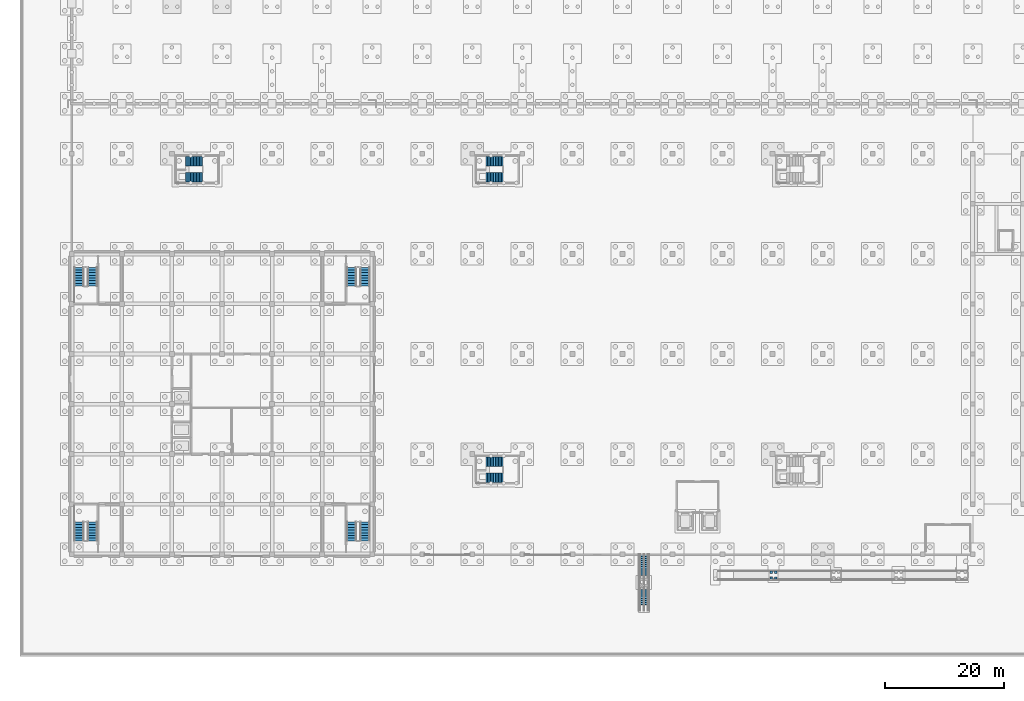
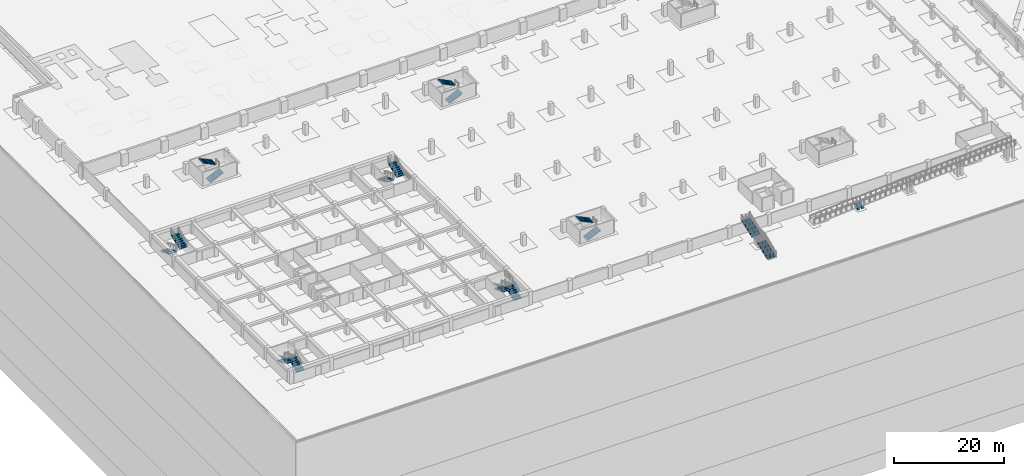
# One storey, part 49 of 67: 16 stair flights, 4 walls, 8 elements without a shape of their own.
"""IFC4 building model written with IfcOpenShell, lengths in metres."""

from ifc_helpers import new_model, si_unit, direction, frame, frame_2d, origin, place, context, subcontext, project, spatial, polyline, rectangle, outline, extrude, material, layer, layer_set, type_object, element, aggregate, save


model = new_model("IFC4")

# Units and contexts
model_context = context("Model", 3, precision=1e-05, world=origin(), true_north=direction((0.0, 1.0)))
body_context = subcontext(model_context, "Body", "Model", "MODEL_VIEW")
ifc_project = project(units=[si_unit("LENGTHUNIT", "METRE"), si_unit("AREAUNIT", "SQUARE_METRE"), si_unit("VOLUMEUNIT", "CUBIC_METRE"), si_unit("PLANEANGLEUNIT", "RADIAN"), si_unit("MASSUNIT", "GRAM", prefix="KILO")], contexts=[model_context])

# Site, building, storey
site_placement = place(None, origin())
site = spatial("IfcSite", under=ifc_project, at=site_placement, CompositionType="ELEMENT")
building_placement = place(site_placement, origin())
building = spatial("IfcBuilding", under=site, at=building_placement, Name="Rain Tree Exposition and Congress Centre", CompositionType="ELEMENT")
storey_placement = place(building_placement, frame((0.0, 0.0, -3.0)))
storey = spatial("IfcBuildingStorey", under=building, at=storey_placement, Name="B1", CompositionType="ELEMENT", Elevation=-3.0)

# Walls
ifc_material_1 = material(Name="Concrete C40/50", Category="concrete")
ifc_layer = layer(ifc_material_1, 0.39990234375)
ifc_layer_set = layer_set([ifc_layer], Name="Concrete C40/50")
wall_type = type_object("IfcWallType", Name="Ramp support pier 400", PredefinedType="SOLIDWALL", material=ifc_layer_set)
for number, where, z_axis, x_axis, name in (
    (1, (117.35009765625, -4.199951171875, 0.0), (0.0, 0.0, 1.0), (0.0, 1.0, 0.0), "Ramp pier 2.1"),
    (2, (117.35009765625, -3.199951171875, 0.0), (0.0, 0.0, 1.0), (0.0, 1.0, 0.0), "Ramp pier 2.2"),
    (3, (118.14990234375, -4.199951171875, 0.0), (0.0, 0.0, 1.0), (0.0, 1.0, 0.0), "Ramp pier 2.3"),
    (4, (118.14990234375, -3.199951171875, 0.0), (0.0, 0.0, 1.0), (0.0, 1.0, 0.0), "Ramp pier 2.4"),
):
    element("IfcWall", number, at=place(storey_placement, frame(where, z_axis=z_axis, x_axis=x_axis)), inside=storey, type_object=wall_type, Name=name, PredefinedType="SOLIDWALL", context=body_context, shape_type="SweptSolid", body=[
        extrude(rectangle(XDim=0.39990234375, YDim=0.39990234375, at=frame_2d((0.199951171875, 0.0))), origin(), (0.0, 0.0, 1.0), 0.695068359375),
    ])

# Stair, stair flights
ifc_material_2 = material(Name="Precast concrete C50/60", Category="concrete")
stair_type_1 = type_object("IfcStairType", Name="Exit stair 1600 wide", PredefinedType="HALF_TURN_STAIR", material=ifc_material_2)
stair_1_placement = place(storey_placement, origin())
stair_1 = element("IfcStair", 5, at=stair_1_placement, inside=storey, type_object=stair_type_1, Name="Exit stair E1", PredefinedType="HALF_TURN_STAIR")
ifc_material_3 = material(Name="Precast concrete C50/60", Category="concrete")
stair_flight_type_1 = type_object("IfcStairFlightType", Name="Exit stair flight 1600 wide", PredefinedType="STRAIGHT", material=ifc_material_3)
stair_flight_1_placement = place(storey_placement, frame((69.5, 12.85009765625, 0.0), z_axis=(0.0, 0.0, 1.0), x_axis=(1.0, 0.0, 0.0)))
stair_flight_1 = element("IfcStairFlight", 6, at=stair_flight_1_placement, type_object=stair_flight_type_1, Name="XS-E1 flight 1", NumberOfRisers=12, NumberOfTreads=11, PredefinedType="STRAIGHT", RiserHeight=0.125, TreadLength=0.26, context=body_context, shape_type="SweptSolid", body=[
    extrude(outline(polyline([(0.0, 0.0), (0.0, 0.125), (0.260009765625, 0.125), (0.260009765625, 0.25), (0.52001953125, 0.25), (0.52001953125, 0.375), (0.780029296875, 0.375), (0.780029296875, 0.5), (1.0400390625, 0.5), (1.0400390625, 0.625), (1.300048828125, 0.625), (1.300048828125, 0.75), (1.56005859375, 0.75), (1.56005859375, 0.875), (1.820068359375, 0.875), (1.820068359375, 1.0), (2.080078125, 1.0), (2.080078125, 1.125), (2.340087890625, 1.125), (2.340087890625, 1.25), (2.60009765625, 1.25), (2.60009765625, 1.375), (2.860107421875, 1.375), (2.860107421875, 1.5), (2.860107421875, 1.208740234375), (0.345947265625, 0.0), (0.0, 0.0)])), frame((0.0, 0.800048828125, 0.0), z_axis=(0.0, -1.0, 0.0), x_axis=(1.0, 0.0, 0.0)), (0.0, 0.0, 1.0), 1.60009765625),
])
stair_flight_2_placement = place(storey_placement, frame((72.360107421875, 15.550048828125, 1.5), z_axis=(0.0, 0.0, 1.0), x_axis=(-1.0, 0.0, 0.0)))
stair_flight_2 = element("IfcStairFlight", 7, at=stair_flight_2_placement, type_object=stair_flight_type_1, Name="XS-E1 flight 2", NumberOfRisers=12, NumberOfTreads=11, PredefinedType="STRAIGHT", RiserHeight=0.125, TreadLength=0.26, context=body_context, shape_type="SweptSolid", body=[
    extrude(outline(polyline([(0.0, 0.0), (0.0, 0.125), (0.260009765625, 0.125), (0.260009765625, 0.25), (0.52001953125, 0.25), (0.52001953125, 0.375), (0.780029296875, 0.375), (0.780029296875, 0.5), (1.0400390625, 0.5), (1.0400390625, 0.625), (1.300048828125, 0.625), (1.300048828125, 0.75), (1.56005859375, 0.75), (1.56005859375, 0.875), (1.820068359375, 0.875), (1.820068359375, 1.0), (2.080078125, 1.0), (2.080078125, 1.125), (2.340087890625, 1.125), (2.340087890625, 1.25), (2.60009765625, 1.25), (2.60009765625, 1.375), (2.860107421875, 1.375), (2.860107421875, 1.5), (2.860107421875, 1.208740234375), (0.345947265625, 0.0), (0.0, 0.0)])), frame((0.0, 0.800048828125, 0.0), z_axis=(0.0, -1.0, 0.0), x_axis=(1.0, 0.0, 0.0)), (0.0, 0.0, 1.0), 1.60009765625),
])
aggregate(stair_1, [stair_flight_1, stair_flight_2])

stair_2_placement = place(storey_placement, origin())
stair_2 = element("IfcStair", 8, at=stair_2_placement, inside=storey, type_object=stair_type_1, Name="Exit stair E3", PredefinedType="HALF_TURN_STAIR")
stair_flight_3_placement = place(storey_placement, frame((69.5, 63.25, 0.0), z_axis=(0.0, 0.0, 1.0), x_axis=(1.0, 0.0, 0.0)))
stair_flight_3 = element("IfcStairFlight", 9, at=stair_flight_3_placement, type_object=stair_flight_type_1, Name="XS-E3 flight 1", NumberOfRisers=12, NumberOfTreads=11, PredefinedType="STRAIGHT", RiserHeight=0.125, TreadLength=0.26, context=body_context, shape_type="SweptSolid", body=[
    extrude(outline(polyline([(0.0, 0.0), (0.0, 0.125), (0.260009765625, 0.125), (0.260009765625, 0.25), (0.52001953125, 0.25), (0.52001953125, 0.375), (0.780029296875, 0.375), (0.780029296875, 0.5), (1.0400390625, 0.5), (1.0400390625, 0.625), (1.300048828125, 0.625), (1.300048828125, 0.75), (1.56005859375, 0.75), (1.56005859375, 0.875), (1.820068359375, 0.875), (1.820068359375, 1.0), (2.080078125, 1.0), (2.080078125, 1.125), (2.340087890625, 1.125), (2.340087890625, 1.25), (2.60009765625, 1.25), (2.60009765625, 1.375), (2.860107421875, 1.375), (2.860107421875, 1.5), (2.860107421875, 1.208740234375), (0.345947265625, 0.0), (0.0, 0.0)])), frame((0.0, 0.800048828125, 0.0), z_axis=(0.0, -1.0, 0.0), x_axis=(1.0, 0.0, 0.0)), (0.0, 0.0, 1.0), 1.60009765625),
])
stair_flight_4_placement = place(storey_placement, frame((72.360107421875, 65.949951171875, 1.5), z_axis=(0.0, 0.0, 1.0), x_axis=(-1.0, 0.0, 0.0)))
stair_flight_4 = element("IfcStairFlight", 10, at=stair_flight_4_placement, type_object=stair_flight_type_1, Name="XS-E3 flight 2", NumberOfRisers=12, NumberOfTreads=11, PredefinedType="STRAIGHT", RiserHeight=0.125, TreadLength=0.26, context=body_context, shape_type="SweptSolid", body=[
    extrude(outline(polyline([(0.0, 0.0), (0.0, 0.125), (0.260009765625, 0.125), (0.260009765625, 0.25), (0.52001953125, 0.25), (0.52001953125, 0.375), (0.780029296875, 0.375), (0.780029296875, 0.5), (1.0400390625, 0.5), (1.0400390625, 0.625), (1.300048828125, 0.625), (1.300048828125, 0.75), (1.56005859375, 0.75), (1.56005859375, 0.875), (1.820068359375, 0.875), (1.820068359375, 1.0), (2.080078125, 1.0), (2.080078125, 1.125), (2.340087890625, 1.125), (2.340087890625, 1.25), (2.60009765625, 1.25), (2.60009765625, 1.375), (2.860107421875, 1.375), (2.860107421875, 1.5), (2.860107421875, 1.208740234375), (0.345947265625, 0.0), (0.0, 0.0)])), frame((0.0, 0.800048828125, 0.0), z_axis=(0.0, -1.0, 0.0), x_axis=(1.0, 0.0, 0.0)), (0.0, 0.0, 1.0), 1.60009765625),
])
aggregate(stair_2, [stair_flight_3, stair_flight_4])

stair_3_placement = place(storey_placement, origin())
stair_3 = element("IfcStair", 11, at=stair_3_placement, inside=storey, type_object=stair_type_1, Name="Exit stair E5", PredefinedType="HALF_TURN_STAIR")
stair_flight_5_placement = place(storey_placement, frame((19.10009765625, 63.25, 0.0), z_axis=(0.0, 0.0, 1.0), x_axis=(1.0, 0.0, 0.0)))
stair_flight_5 = element("IfcStairFlight", 12, at=stair_flight_5_placement, type_object=stair_flight_type_1, Name="XS-E5 flight 1", NumberOfRisers=12, NumberOfTreads=11, PredefinedType="STRAIGHT", RiserHeight=0.125, TreadLength=0.26, context=body_context, shape_type="SweptSolid", body=[
    extrude(outline(polyline([(0.0, 0.0), (0.0, 0.125), (0.260009765625, 0.125), (0.260009765625, 0.25), (0.52001953125, 0.25), (0.52001953125, 0.375), (0.780029296875, 0.375), (0.780029296875, 0.5), (1.0400390625, 0.5), (1.0400390625, 0.625), (1.300048828125, 0.625), (1.300048828125, 0.75), (1.56005859375, 0.75), (1.56005859375, 0.875), (1.820068359375, 0.875), (1.820068359375, 1.0), (2.080078125, 1.0), (2.080078125, 1.125), (2.340087890625, 1.125), (2.340087890625, 1.25), (2.60009765625, 1.25), (2.60009765625, 1.375), (2.860107421875, 1.375), (2.860107421875, 1.5), (2.860107421875, 1.208740234375), (0.345947265625, 0.0), (0.0, 0.0)])), frame((0.0, 0.800048828125, 0.0), z_axis=(0.0, -1.0, 0.0), x_axis=(1.0, 0.0, 0.0)), (0.0, 0.0, 1.0), 1.60009765625),
])
stair_flight_6_placement = place(storey_placement, frame((21.9599609375, 65.949951171875, 1.5), z_axis=(0.0, 0.0, 1.0), x_axis=(-1.0, 0.0, 0.0)))
stair_flight_6 = element("IfcStairFlight", 13, at=stair_flight_6_placement, type_object=stair_flight_type_1, Name="XS-E5 flight 2", NumberOfRisers=12, NumberOfTreads=11, PredefinedType="STRAIGHT", RiserHeight=0.125, TreadLength=0.26, context=body_context, shape_type="SweptSolid", body=[
    extrude(outline(polyline([(0.0, 0.0), (0.0, 0.125), (0.260009765625, 0.125), (0.260009765625, 0.25), (0.52001953125, 0.25), (0.52001953125, 0.375), (0.780029296875, 0.375), (0.780029296875, 0.5), (1.0400390625, 0.5), (1.0400390625, 0.625), (1.300048828125, 0.625), (1.300048828125, 0.75), (1.56005859375, 0.75), (1.56005859375, 0.875), (1.820068359375, 0.875), (1.820068359375, 1.0), (2.080078125, 1.0), (2.080078125, 1.125), (2.340087890625, 1.125), (2.340087890625, 1.25), (2.60009765625, 1.25), (2.60009765625, 1.375), (2.860107421875, 1.375), (2.860107421875, 1.5), (2.860107421875, 1.208740234375), (0.345947265625, 0.0), (0.0, 0.0)])), frame((0.0, 0.800048828125, 0.0), z_axis=(0.0, -1.0, 0.0), x_axis=(1.0, 0.0, 0.0)), (0.0, 0.0, 1.0), 1.60009765625),
])
aggregate(stair_3, [stair_flight_5, stair_flight_6])

ifc_material_4 = material(Name="Precast concrete C50/60", Category="concrete")
stair_type_2 = type_object("IfcStairType", Name="Public stair 1800 wide", PredefinedType="STRAIGHT_RUN_STAIR", material=ifc_material_4)
stair_4_placement = place(storey_placement, origin())
stair_4 = element("IfcStair", 14, at=stair_4_placement, inside=storey, type_object=stair_type_2, Name="Grand public stair ST-S1", PredefinedType="STRAIGHT_RUN_STAIR")
ifc_material_5 = material(Name="Precast concrete C50/60", Category="concrete")
stair_flight_type_2 = type_object("IfcStairFlightType", Name="Precast stair flight 1800 wide", PredefinedType="STRAIGHT", material=ifc_material_5)
stair_flight_7_placement = place(storey_placement, frame((96.0, -9.5, 0.0), z_axis=(0.0, 0.0, 1.0), x_axis=(0.0, 1.0, 0.0)))
stair_flight_7 = element("IfcStairFlight", 15, at=stair_flight_7_placement, type_object=stair_flight_type_2, Name="ST-S1 flight 1", NumberOfRisers=12, NumberOfTreads=11, PredefinedType="STRAIGHT", RiserHeight=0.125, TreadLength=0.35, context=body_context, shape_type="SweptSolid", body=[
    extrude(outline(polyline([(0.0, 0.0), (0.0, 0.125), (0.35009765625, 0.125), (0.35009765625, 0.25), (0.699951171875, 0.25), (0.699951171875, 0.375), (1.050048828125, 0.375), (1.050048828125, 0.5), (1.39990234375, 0.5), (1.39990234375, 0.625), (1.75, 0.625), (1.75, 0.75), (2.10009765625, 0.75), (2.10009765625, 0.875), (2.449951171875, 0.875), (2.449951171875, 1.0), (2.800048828125, 1.0), (2.800048828125, 1.125), (3.14990234375, 1.125), (3.14990234375, 1.25), (3.5, 1.25), (3.5, 1.375), (3.85009765625, 1.375), (3.85009765625, 1.5), (3.85009765625, 1.2158203125), (0.44580078125, 0.0), (0.0, 0.0)])), frame((0.0, 0.89990234375, 0.0), z_axis=(0.0, -1.0, 0.0), x_axis=(1.0, 0.0, 0.0)), (0.0, 0.0, 1.0), 1.800048828125),
])
stair_flight_8_placement = place(storey_placement, frame((96.0, -3.85009765625, 1.5), z_axis=(0.0, 0.0, 1.0), x_axis=(0.0, 1.0, 0.0)))
stair_flight_8 = element("IfcStairFlight", 16, at=stair_flight_8_placement, type_object=stair_flight_type_2, Name="ST-S1 flight 2", NumberOfRisers=12, NumberOfTreads=11, PredefinedType="STRAIGHT", RiserHeight=0.125, TreadLength=0.35, context=body_context, shape_type="SweptSolid", body=[
    extrude(outline(polyline([(0.0, 0.0), (0.0, 0.125), (0.35009765625, 0.125), (0.35009765625, 0.25), (0.699951171875, 0.25), (0.699951171875, 0.375), (1.050048828125, 0.375), (1.050048828125, 0.5), (1.39990234375, 0.5), (1.39990234375, 0.625), (1.75, 0.625), (1.75, 0.75), (2.10009765625, 0.75), (2.10009765625, 0.875), (2.449951171875, 0.875), (2.449951171875, 1.0), (2.800048828125, 1.0), (2.800048828125, 1.125), (3.14990234375, 1.125), (3.14990234375, 1.25), (3.5, 1.25), (3.5, 1.375), (3.85009765625, 1.375), (3.85009765625, 1.5), (3.85009765625, 1.2158203125), (0.44580078125, 0.0), (0.0, 0.0)])), frame((0.0, 0.89990234375, 0.0), z_axis=(0.0, -1.0, 0.0), x_axis=(1.0, 0.0, 0.0)), (0.0, 0.0, 1.0), 1.800048828125),
])
aggregate(stair_4, [stair_flight_7, stair_flight_8])

ifc_material_6 = material(Name="Precast concrete C50/60", Category="concrete")
stair_type_3 = type_object("IfcStairType", Name="Wing dog-leg stair 1600", PredefinedType="HALF_TURN_STAIR", material=ifc_material_6)
stair_5_placement = place(storey_placement, origin())
stair_5 = element("IfcStair", 17, at=stair_5_placement, inside=storey, type_object=stair_type_3, Name="B1 ST-W1", PredefinedType="HALF_TURN_STAIR")
ifc_material_7 = material(Name="Precast concrete C50/60", Category="concrete")
stair_flight_type_3 = type_object("IfcStairFlightType", Name="Wing stair flight 1600", PredefinedType="STRAIGHT", material=ifc_material_7)
stair_flight_9_placement = place(storey_placement, frame((3.449951171875, 2.25, 0.0), z_axis=(0.0, 0.0, 1.0), x_axis=(0.0, 1.0, 0.0)))
stair_flight_9 = element("IfcStairFlight", 18, at=stair_flight_9_placement, type_object=stair_flight_type_3, Name="ST-W1 flight 1", NumberOfRisers=8, NumberOfTreads=7, PredefinedType="STRAIGHT", RiserHeight=0.1875, TreadLength=0.45, context=body_context, shape_type="SweptSolid", body=[
    extrude(outline(polyline([(0.0, 0.0), (0.0, 0.1875), (0.449951171875, 0.1875), (0.449951171875, 0.375), (0.89990234375, 0.375), (0.89990234375, 0.5625), (1.35009765625, 0.5625), (1.35009765625, 0.75), (1.800048828125, 0.75), (1.800048828125, 0.9375), (2.25, 0.9375), (2.25, 1.125), (2.699951171875, 1.125), (2.699951171875, 1.3125), (3.14990234375, 1.3125), (3.14990234375, 1.5), (3.14990234375, 1.150146484375), (0.3896484375, 0.0), (0.0, 0.0)])), frame((0.0, 0.800048828125, 0.0), z_axis=(0.0, -1.0, 0.0), x_axis=(1.0, 0.0, 0.0)), (0.0, 0.0, 1.0), 1.60009765625),
])
stair_flight_10_placement = place(storey_placement, frame((1.199951171875, 5.39990234375, 1.5), z_axis=(0.0, 0.0, 1.0), x_axis=(0.0, -1.0, 0.0)))
stair_flight_10 = element("IfcStairFlight", 19, at=stair_flight_10_placement, type_object=stair_flight_type_3, Name="ST-W1 flight 2", NumberOfRisers=8, NumberOfTreads=7, PredefinedType="STRAIGHT", RiserHeight=0.1875, TreadLength=0.45, context=body_context, shape_type="SweptSolid", body=[
    extrude(outline(polyline([(0.0, 0.0), (0.0, 0.1875), (0.449951171875, 0.1875), (0.449951171875, 0.375), (0.89990234375, 0.375), (0.89990234375, 0.5625), (1.35009765625, 0.5625), (1.35009765625, 0.75), (1.800048828125, 0.75), (1.800048828125, 0.9375), (2.25, 0.9375), (2.25, 1.125), (2.699951171875, 1.125), (2.699951171875, 1.3125), (3.14990234375, 1.3125), (3.14990234375, 1.5), (3.14990234375, 1.150146484375), (0.3896484375, 0.0), (0.0, 0.0)])), frame((0.0, 0.800048828125, 0.0), z_axis=(0.0, -1.0, 0.0), x_axis=(1.0, 0.0, 0.0)), (0.0, 0.0, 1.0), 1.60009765625),
])
aggregate(stair_5, [stair_flight_9, stair_flight_10])

stair_6_placement = place(storey_placement, origin())
stair_6 = element("IfcStair", 20, at=stair_6_placement, inside=storey, type_object=stair_type_3, Name="B1 ST-W2", PredefinedType="HALF_TURN_STAIR")
stair_flight_11_placement = place(storey_placement, frame((49.199951171875, 2.25, 0.0), z_axis=(0.0, 0.0, 1.0), x_axis=(0.0, 1.0, 0.0)))
stair_flight_11 = element("IfcStairFlight", 21, at=stair_flight_11_placement, type_object=stair_flight_type_3, Name="ST-W2 flight 1", NumberOfRisers=8, NumberOfTreads=7, PredefinedType="STRAIGHT", RiserHeight=0.1875, TreadLength=0.45, context=body_context, shape_type="SweptSolid", body=[
    extrude(outline(polyline([(0.0, 0.0), (0.0, 0.1875), (0.449951171875, 0.1875), (0.449951171875, 0.375), (0.89990234375, 0.375), (0.89990234375, 0.5625), (1.35009765625, 0.5625), (1.35009765625, 0.75), (1.800048828125, 0.75), (1.800048828125, 0.9375), (2.25, 0.9375), (2.25, 1.125), (2.699951171875, 1.125), (2.699951171875, 1.3125), (3.14990234375, 1.3125), (3.14990234375, 1.5), (3.14990234375, 1.150146484375), (0.3896484375, 0.0), (0.0, 0.0)])), frame((0.0, 0.800048828125, 0.0), z_axis=(0.0, -1.0, 0.0), x_axis=(1.0, 0.0, 0.0)), (0.0, 0.0, 1.0), 1.60009765625),
])
stair_flight_12_placement = place(storey_placement, frame((46.949951171875, 5.39990234375, 1.5), z_axis=(0.0, 0.0, 1.0), x_axis=(0.0, -1.0, 0.0)))
stair_flight_12 = element("IfcStairFlight", 22, at=stair_flight_12_placement, type_object=stair_flight_type_3, Name="ST-W2 flight 2", NumberOfRisers=8, NumberOfTreads=7, PredefinedType="STRAIGHT", RiserHeight=0.1875, TreadLength=0.45, context=body_context, shape_type="SweptSolid", body=[
    extrude(outline(polyline([(0.0, 0.0), (0.0, 0.1875), (0.449951171875, 0.1875), (0.449951171875, 0.375), (0.89990234375, 0.375), (0.89990234375, 0.5625), (1.35009765625, 0.5625), (1.35009765625, 0.75), (1.800048828125, 0.75), (1.800048828125, 0.9375), (2.25, 0.9375), (2.25, 1.125), (2.699951171875, 1.125), (2.699951171875, 1.3125), (3.14990234375, 1.3125), (3.14990234375, 1.5), (3.14990234375, 1.150146484375), (0.3896484375, 0.0), (0.0, 0.0)])), frame((0.0, 0.800048828125, 0.0), z_axis=(0.0, -1.0, 0.0), x_axis=(1.0, 0.0, 0.0)), (0.0, 0.0, 1.0), 1.60009765625),
])
aggregate(stair_6, [stair_flight_11, stair_flight_12])

stair_7_placement = place(storey_placement, origin())
stair_7 = element("IfcStair", 23, at=stair_7_placement, inside=storey, type_object=stair_type_3, Name="B1 ST-W3", PredefinedType="HALF_TURN_STAIR")
stair_flight_13_placement = place(storey_placement, frame((1.199951171875, 48.14990234375, 0.0), z_axis=(0.0, 0.0, 1.0), x_axis=(0.0, -1.0, 0.0)))
stair_flight_13 = element("IfcStairFlight", 24, at=stair_flight_13_placement, type_object=stair_flight_type_3, Name="ST-W3 flight 1", NumberOfRisers=8, NumberOfTreads=7, PredefinedType="STRAIGHT", RiserHeight=0.1875, TreadLength=0.45, context=body_context, shape_type="SweptSolid", body=[
    extrude(outline(polyline([(0.0, 0.0), (0.0, 0.1875), (0.449951171875, 0.1875), (0.449951171875, 0.375), (0.89990234375, 0.375), (0.89990234375, 0.5625), (1.35009765625, 0.5625), (1.35009765625, 0.75), (1.800048828125, 0.75), (1.800048828125, 0.9375), (2.25, 0.9375), (2.25, 1.125), (2.699951171875, 1.125), (2.699951171875, 1.3125), (3.14990234375, 1.3125), (3.14990234375, 1.5), (3.14990234375, 1.150146484375), (0.3896484375, 0.0), (0.0, 0.0)])), frame((0.0, 0.800048828125, 0.0), z_axis=(0.0, -1.0, 0.0), x_axis=(1.0, 0.0, 0.0)), (0.0, 0.0, 1.0), 1.60009765625),
])
stair_flight_14_placement = place(storey_placement, frame((3.449951171875, 45.0, 1.5), z_axis=(0.0, 0.0, 1.0), x_axis=(0.0, 1.0, 0.0)))
stair_flight_14 = element("IfcStairFlight", 25, at=stair_flight_14_placement, type_object=stair_flight_type_3, Name="ST-W3 flight 2", NumberOfRisers=8, NumberOfTreads=7, PredefinedType="STRAIGHT", RiserHeight=0.1875, TreadLength=0.45, context=body_context, shape_type="SweptSolid", body=[
    extrude(outline(polyline([(0.0, 0.0), (0.0, 0.1875), (0.449951171875, 0.1875), (0.449951171875, 0.375), (0.89990234375, 0.375), (0.89990234375, 0.5625), (1.35009765625, 0.5625), (1.35009765625, 0.75), (1.800048828125, 0.75), (1.800048828125, 0.9375), (2.25, 0.9375), (2.25, 1.125), (2.699951171875, 1.125), (2.699951171875, 1.3125), (3.14990234375, 1.3125), (3.14990234375, 1.5), (3.14990234375, 1.150146484375), (0.3896484375, 0.0), (0.0, 0.0)])), frame((0.0, 0.800048828125, 0.0), z_axis=(0.0, -1.0, 0.0), x_axis=(1.0, 0.0, 0.0)), (0.0, 0.0, 1.0), 1.60009765625),
])
aggregate(stair_7, [stair_flight_13, stair_flight_14])

stair_8_placement = place(storey_placement, origin())
stair_8 = element("IfcStair", 26, at=stair_8_placement, inside=storey, type_object=stair_type_3, Name="B1 ST-W4", PredefinedType="HALF_TURN_STAIR")
stair_flight_15_placement = place(storey_placement, frame((46.949951171875, 48.14990234375, 0.0), z_axis=(0.0, 0.0, 1.0), x_axis=(0.0, -1.0, 0.0)))
stair_flight_15 = element("IfcStairFlight", 27, at=stair_flight_15_placement, type_object=stair_flight_type_3, Name="ST-W4 flight 1", NumberOfRisers=8, NumberOfTreads=7, PredefinedType="STRAIGHT", RiserHeight=0.1875, TreadLength=0.45, context=body_context, shape_type="SweptSolid", body=[
    extrude(outline(polyline([(0.0, 0.0), (0.0, 0.1875), (0.449951171875, 0.1875), (0.449951171875, 0.375), (0.89990234375, 0.375), (0.89990234375, 0.5625), (1.35009765625, 0.5625), (1.35009765625, 0.75), (1.800048828125, 0.75), (1.800048828125, 0.9375), (2.25, 0.9375), (2.25, 1.125), (2.699951171875, 1.125), (2.699951171875, 1.3125), (3.14990234375, 1.3125), (3.14990234375, 1.5), (3.14990234375, 1.150146484375), (0.3896484375, 0.0), (0.0, 0.0)])), frame((0.0, 0.800048828125, 0.0), z_axis=(0.0, -1.0, 0.0), x_axis=(1.0, 0.0, 0.0)), (0.0, 0.0, 1.0), 1.60009765625),
])
stair_flight_16_placement = place(storey_placement, frame((49.199951171875, 45.0, 1.5), z_axis=(0.0, 0.0, 1.0), x_axis=(0.0, 1.0, 0.0)))
stair_flight_16 = element("IfcStairFlight", 28, at=stair_flight_16_placement, type_object=stair_flight_type_3, Name="ST-W4 flight 2", NumberOfRisers=8, NumberOfTreads=7, PredefinedType="STRAIGHT", RiserHeight=0.1875, TreadLength=0.45, context=body_context, shape_type="SweptSolid", body=[
    extrude(outline(polyline([(0.0, 0.0), (0.0, 0.1875), (0.449951171875, 0.1875), (0.449951171875, 0.375), (0.89990234375, 0.375), (0.89990234375, 0.5625), (1.35009765625, 0.5625), (1.35009765625, 0.75), (1.800048828125, 0.75), (1.800048828125, 0.9375), (2.25, 0.9375), (2.25, 1.125), (2.699951171875, 1.125), (2.699951171875, 1.3125), (3.14990234375, 1.3125), (3.14990234375, 1.5), (3.14990234375, 1.150146484375), (0.3896484375, 0.0), (0.0, 0.0)])), frame((0.0, 0.800048828125, 0.0), z_axis=(0.0, -1.0, 0.0), x_axis=(1.0, 0.0, 0.0)), (0.0, 0.0, 1.0), 1.60009765625),
])
aggregate(stair_8, [stair_flight_15, stair_flight_16])

save(model, "model.ifc")
